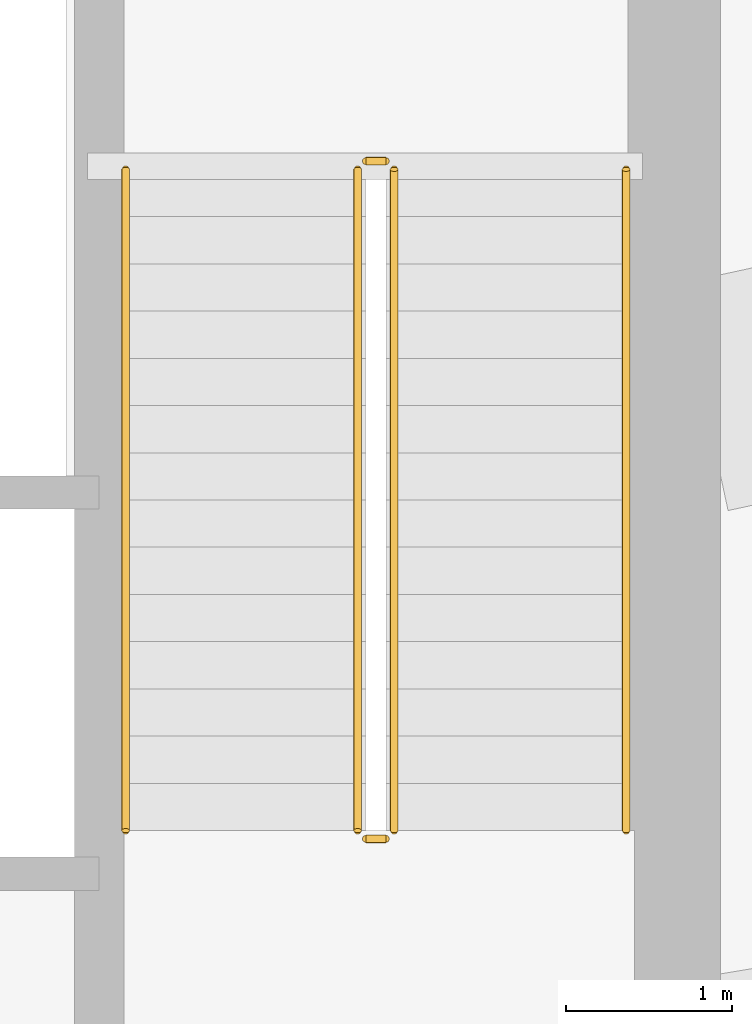
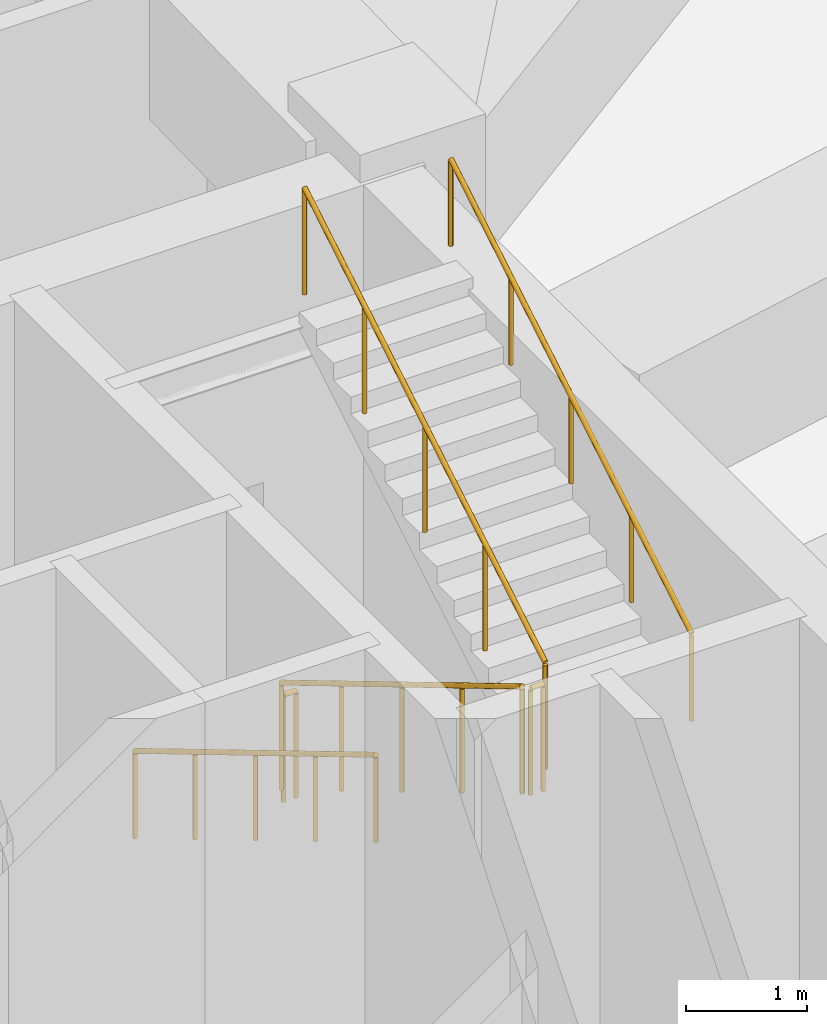
# One storey, part 20 of 20: 6 railings.
"""IFC4 building model written with IfcOpenShell, lengths in metres."""

from ifc_helpers import new_model, si_unit, direction, frame, origin, origin_2d, place, context, subcontext, project, spatial, circle, extrude, material, type_object, element, save


model = new_model("IFC4")

# Units and contexts
model_context = context("Model", 3, precision=1e-05, world=origin(), true_north=direction((0.0, 1.0)))
body_context = subcontext(model_context, "Body", "Model", "MODEL_VIEW")
ifc_project = project(units=[si_unit("LENGTHUNIT", "METRE"), si_unit("AREAUNIT", "SQUARE_METRE"), si_unit("VOLUMEUNIT", "CUBIC_METRE"), si_unit("PLANEANGLEUNIT", "RADIAN"), si_unit("MASSUNIT", "GRAM", prefix="KILO")], contexts=[model_context])

# Site, building, storey
site_placement = place(None, origin())
site = spatial("IfcSite", under=ifc_project, at=site_placement, CompositionType="ELEMENT")
building_placement = place(site_placement, origin())
building = spatial("IfcBuilding", under=site, at=building_placement, Name="Qobustan Lattice House", CompositionType="ELEMENT")
storey_placement = place(building_placement, frame((0.0, 0.0, 73.89990234375)))
storey = spatial("IfcBuildingStorey", under=building, at=storey_placement, Name="L20", CompositionType="ELEMENT", Elevation=73.89990234375)

# Railings
ifc_material_1 = material(Name="Brushed stainless steel handrail", Category="steel")
railing_type_1 = type_object("IfcRailingType", Name="RAL-HR-920", PredefinedType="HANDRAIL", material=ifc_material_1)
railing_1_placement = place(storey_placement, frame((15.179931640625, 3.5, 0.170166015625)))
element("IfcRailing", 1, at=railing_1_placement, inside=storey, type_object=railing_type_1, Name="L20 ST-E1 stair handrail 1", PredefinedType="HANDRAIL", context=body_context, shape_type="SweptSolid", body=[
    extrude(circle(Radius=0.02392578125, at=origin_2d()), frame((0.0, 0.0, 0.8759765625), z_axis=(0.0, -0.85883005064, 0.512260621284), x_axis=(1.0, 0.0, 0.0)), (0.0, 0.0, 1.0), 4.645751953125),
    extrude(circle(Radius=0.02099609375, at=origin_2d()), origin(), (0.0, 0.0, 1.0), 0.851806640625),
    extrude(circle(Radius=0.02099609375, at=origin_2d()), frame((0.0, -0.99755859375, 0.594970703125)), (0.0, 0.0, 1.0), 0.851806640625),
    extrude(circle(Radius=0.02099609375, at=origin_2d()), frame((0.0, -1.9951171875, 1.18994140625)), (0.0, 0.0, 1.0), 0.851806640625),
    extrude(circle(Radius=0.02099609375, at=origin_2d()), frame((0.0, -2.992431640625, 1.784912109375)), (0.0, 0.0, 1.0), 0.851806640625),
    extrude(circle(Radius=0.02099609375, at=origin_2d()), frame((0.0, -3.989990234375, 2.3798828125)), (0.0, 0.0, 1.0), 0.851806640625),
])
railing_2_placement = place(storey_placement, frame((18.199951171875, -0.489990234375, 2.72021484375)))
element("IfcRailing", 2, at=railing_2_placement, inside=storey, type_object=railing_type_1, Name="L20 ST-E1 stair handrail 2", PredefinedType="HANDRAIL", context=body_context, shape_type="SweptSolid", body=[
    extrude(circle(Radius=0.02392578125, at=origin_2d()), frame((0.0, 0.0, 0.8759765625), z_axis=(0.0, 0.85883005064, 0.512260621284), x_axis=(-1.0, 0.0, 0.0)), (0.0, 0.0, 1.0), 4.645751953125),
    extrude(circle(Radius=0.02099609375, at=origin_2d()), origin(), (0.0, 0.0, 1.0), 0.851806640625),
    extrude(circle(Radius=0.02099609375, at=origin_2d()), frame((0.0, 0.99755859375, 0.594970703125)), (0.0, 0.0, 1.0), 0.851806640625),
    extrude(circle(Radius=0.02099609375, at=origin_2d()), frame((0.0, 1.9951171875, 1.18994140625)), (0.0, 0.0, 1.0), 0.851806640625),
    extrude(circle(Radius=0.02099609375, at=origin_2d()), frame((0.0, 2.992431640625, 1.784912109375)), (0.0, 0.0, 1.0), 0.851806640625),
    extrude(circle(Radius=0.02099609375, at=origin_2d()), frame((0.0, 3.989990234375, 2.3798828125)), (0.0, 0.0, 1.0), 0.851806640625),
])
ifc_material_2 = material(Name="Painted galvanized steel guardrail", Category="steel")
railing_type_2 = type_object("IfcRailingType", Name="RAL-STG-1150", PredefinedType="GUARDRAIL", material=ifc_material_2)
railing_3_placement = place(storey_placement, frame((16.580078125, 3.5, 0.170166015625)))
element("IfcRailing", 3, at=railing_3_placement, inside=storey, type_object=railing_type_2, Name="L20 ST-E1 stair guard 1", PredefinedType="GUARDRAIL", context=body_context, shape_type="SweptSolid", body=[
    extrude(circle(Radius=0.02392578125, at=origin_2d()), frame((0.0, 0.0, 1.076171875), z_axis=(0.0, -0.85883005064, 0.512260621284), x_axis=(1.0, 0.0, 0.0)), (0.0, 0.0, 1.0), 4.645751953125),
    extrude(circle(Radius=0.02099609375, at=origin_2d()), origin(), (0.0, 0.0, 1.0), 1.052001953125),
    extrude(circle(Radius=0.02099609375, at=origin_2d()), frame((0.0, -0.99755859375, 0.594970703125)), (0.0, 0.0, 1.0), 1.052001953125),
    extrude(circle(Radius=0.02099609375, at=origin_2d()), frame((0.0, -1.9951171875, 1.18994140625)), (0.0, 0.0, 1.0), 1.052001953125),
    extrude(circle(Radius=0.02099609375, at=origin_2d()), frame((0.0, -2.992431640625, 1.784912109375)), (0.0, 0.0, 1.0), 1.052001953125),
    extrude(circle(Radius=0.02099609375, at=origin_2d()), frame((0.0, -3.989990234375, 2.3798828125)), (0.0, 0.0, 1.0), 1.052001953125),
])
railing_4_placement = place(storey_placement, frame((16.6298828125, -0.5400390625, 2.550048828125)))
element("IfcRailing", 4, at=railing_4_placement, inside=storey, type_object=railing_type_2, Name="L20 ST-E1 stair guard 2", PredefinedType="GUARDRAIL", context=body_context, shape_type="SweptSolid", body=[
    extrude(circle(Radius=0.02392578125, at=origin_2d()), frame((0.0, 0.0, 1.076171875), z_axis=(1.0, 0.0, 0.0), x_axis=(0.0, 1.0, 0.0)), (0.0, 0.0, 1.0), 0.1201171875),
    extrude(circle(Radius=0.02099609375, at=origin_2d()), origin(), (0.0, 0.0, 1.0), 1.052001953125),
    extrude(circle(Radius=0.02099609375, at=origin_2d()), frame((0.1201171875, 0.0, 0.0)), (0.0, 0.0, 1.0), 1.052001953125),
])
railing_5_placement = place(storey_placement, frame((16.800048828125, -0.489990234375, 2.72021484375)))
element("IfcRailing", 5, at=railing_5_placement, inside=storey, type_object=railing_type_2, Name="L20 ST-E1 stair guard 3", PredefinedType="GUARDRAIL", context=body_context, shape_type="SweptSolid", body=[
    extrude(circle(Radius=0.02392578125, at=origin_2d()), frame((0.0, 0.0, 1.076171875), z_axis=(0.0, 0.85883005064, 0.512260621284), x_axis=(-1.0, 0.0, 0.0)), (0.0, 0.0, 1.0), 4.645751953125),
    extrude(circle(Radius=0.02099609375, at=origin_2d()), origin(), (0.0, 0.0, 1.0), 1.052001953125),
    extrude(circle(Radius=0.02099609375, at=origin_2d()), frame((0.0, 0.99755859375, 0.594970703125)), (0.0, 0.0, 1.0), 1.052001953125),
    extrude(circle(Radius=0.02099609375, at=origin_2d()), frame((0.0, 1.9951171875, 1.18994140625)), (0.0, 0.0, 1.0), 1.052001953125),
    extrude(circle(Radius=0.02099609375, at=origin_2d()), frame((0.0, 2.992431640625, 1.784912109375)), (0.0, 0.0, 1.0), 1.052001953125),
    extrude(circle(Radius=0.02099609375, at=origin_2d()), frame((0.0, 3.989990234375, 2.3798828125)), (0.0, 0.0, 1.0), 1.052001953125),
])
railing_6_placement = place(storey_placement, frame((16.6298828125, 3.550048828125, 0.0)))
element("IfcRailing", 6, at=railing_6_placement, inside=storey, type_object=railing_type_2, Name="L20 ST-E1 stair guard 4", PredefinedType="GUARDRAIL", context=body_context, shape_type="SweptSolid", body=[
    extrude(circle(Radius=0.02392578125, at=origin_2d()), frame((0.0, 0.0, 1.076171875), z_axis=(1.0, 0.0, 0.0), x_axis=(0.0, 1.0, 0.0)), (0.0, 0.0, 1.0), 0.1201171875),
    extrude(circle(Radius=0.02099609375, at=origin_2d()), origin(), (0.0, 0.0, 1.0), 1.052001953125),
    extrude(circle(Radius=0.02099609375, at=origin_2d()), frame((0.1201171875, 0.0, 0.0)), (0.0, 0.0, 1.0), 1.052001953125),
])

save(model, "model.ifc")
